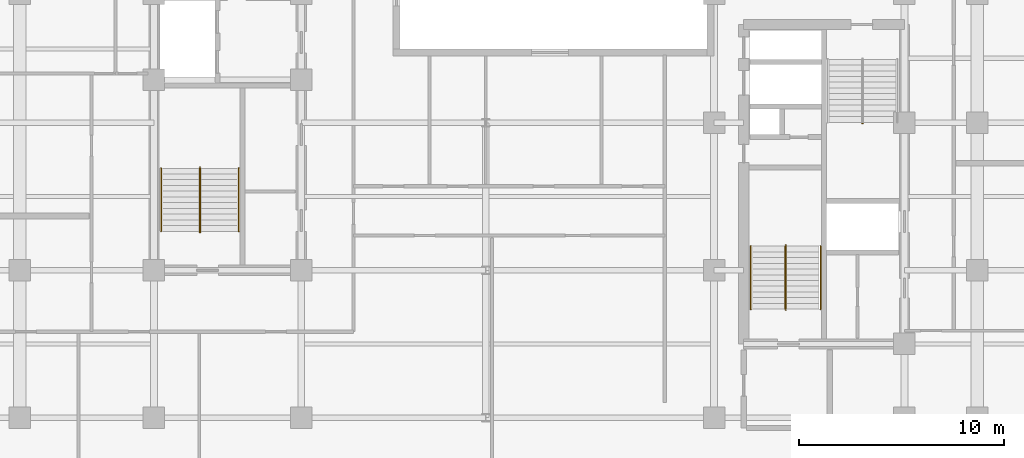
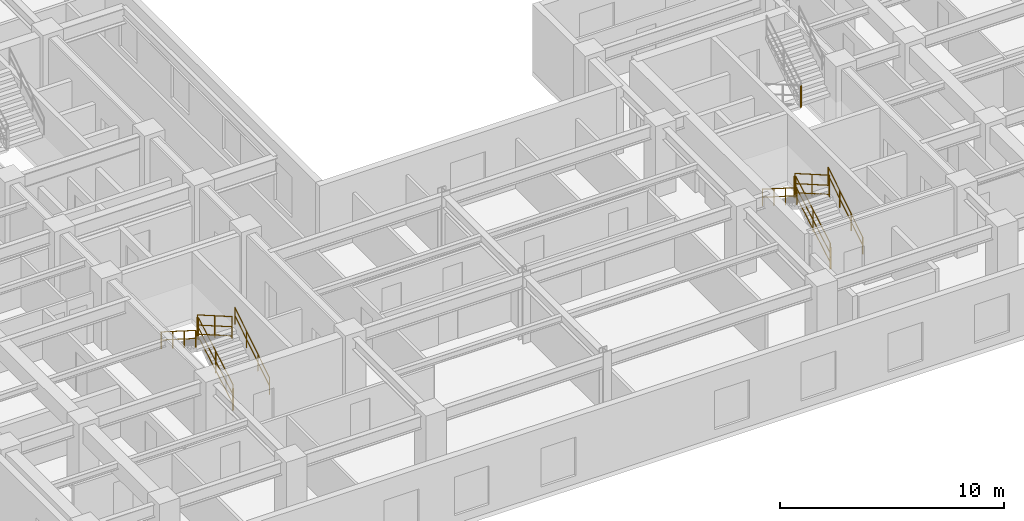
# One storey, part 8 of 10: 13 railings.
"""IFC4 building model written with IfcOpenShell, lengths in metres."""

from ifc_helpers import new_model, entity, si_unit, converted_unit, direction, frame, origin_with_axes, origin_2d_with_axis, place, context, subcontext, project, spatial, rectangle, circle, extrude, material, type_object, element, save


model = new_model("IFC4")

# Units and contexts
model_context = context("Model", 3, precision=1e-05, world=origin_with_axes(), true_north=direction((0.0, 1.0)))
body_context = subcontext(model_context, "Body", "Model", "MODEL_VIEW")
ifc_project = project(units=[si_unit("LENGTHUNIT", "METRE"), si_unit("AREAUNIT", "SQUARE_METRE"), si_unit("VOLUMEUNIT", "CUBIC_METRE"), converted_unit("PLANEANGLEUNIT", "DEGREE", entity("IfcPlaneAngleMeasure", 0.017453292519943295), si_unit("PLANEANGLEUNIT", "RADIAN"), dimensions=[0, 0, 0, 0, 0, 0, 0]), si_unit("MASSUNIT", "GRAM", prefix="KILO"), si_unit("THERMODYNAMICTEMPERATUREUNIT", "KELVIN")], contexts=[model_context])

# Site, building, storey
site_placement = place(None, origin_with_axes())
site = spatial("IfcSite", under=ifc_project, at=site_placement, CompositionType="ELEMENT")
building_placement = place(site_placement, origin_with_axes())
building = spatial("IfcBuilding", under=site, at=building_placement, Name="Varnlund Millrace Tower", CompositionType="ELEMENT")
storey_placement = place(building_placement, frame((0.0, 0.0, 160.2), z_axis=(0.0, 0.0, 1.0), x_axis=(1.0, 0.0, 0.0)))
storey = spatial("IfcBuildingStorey", under=building, at=storey_placement, Name="L39", CompositionType="ELEMENT", Elevation=160.2)

# Railings
ifc_material_1 = material(Name="Painted steel stair well balustrade guard", Category="steel")
railing_type_1 = type_object("IfcRailingType", Name="Type-StairGuard-1150", PredefinedType="GUARDRAIL", material=ifc_material_1)
railing_1_placement = place(storey_placement, frame((0.0, 0.0, -160.2), z_axis=(0.0, 0.0, 1.0), x_axis=(1.0, 0.0, 0.0)))
element("IfcRailing", 1, at=railing_1_placement, inside=storey, type_object=railing_type_1, Name="Type-StairGuard-1150", PredefinedType="GUARDRAIL", context=body_context, shape_type="SweptSolid", body=[
    extrude(circle(Radius=0.024, at=origin_2d_with_axis()), frame((13.675, 12.7, 161.527273), z_axis=(0.0, 0.866696, 0.498836), x_axis=(-1.0, 0.0, 0.0)), (0.0, 0.0, 1.0), 3.553725),
    extrude(circle(Radius=0.024, at=origin_2d_with_axis()), frame((13.675, 12.7, 160.477273), z_axis=(0.0, 0.866696, 0.498836), x_axis=(-1.0, 0.0, 0.0)), (0.0, 0.0, 1.0), 3.553725),
    extrude(circle(Radius=0.024, at=origin_2d_with_axis()), frame((13.675, 12.7, 160.975273), z_axis=(0.0, 0.866696, 0.498836), x_axis=(-1.0, 0.0, 0.0)), (0.0, 0.0, 1.0), 3.553725),
    extrude(rectangle(XDim=0.04, YDim=0.04, at=origin_2d_with_axis()), frame((13.675, 12.7, 160.337273), z_axis=(0.0, 0.0, 1.0), x_axis=(1.0, 0.0, 0.0)), (0.0, 0.0, 1.0), 1.19),
    extrude(rectangle(XDim=0.04, YDim=0.04, at=origin_2d_with_axis()), frame((13.675, 14.24, 161.223637), z_axis=(0.0, 0.0, 1.0), x_axis=(1.0, 0.0, 0.0)), (0.0, 0.0, 1.0), 1.19),
    extrude(rectangle(XDim=0.04, YDim=0.04, at=origin_2d_with_axis()), frame((13.675, 15.78, 162.11), z_axis=(0.0, 0.0, 1.0), x_axis=(1.0, 0.0, 0.0)), (0.0, 0.0, 1.0), 1.19),
])
railing_2_placement = place(storey_placement, frame((0.0, 0.0, -160.2), z_axis=(0.0, 0.0, 1.0), x_axis=(1.0, 0.0, 0.0)))
element("IfcRailing", 2, at=railing_2_placement, inside=storey, type_object=railing_type_1, Name="Type-StairGuard-1150", PredefinedType="GUARDRAIL", context=body_context, shape_type="SweptSolid", body=[
    extrude(circle(Radius=0.024, at=origin_2d_with_axis()), frame((13.625, 15.83, 163.3), z_axis=(1.0, 0.0, 0.0), x_axis=(0.0, 1.0, 0.0)), (0.0, 0.0, 1.0), 0.05),
    extrude(circle(Radius=0.024, at=origin_2d_with_axis()), frame((13.625, 15.83, 162.25), z_axis=(1.0, 0.0, 0.0), x_axis=(0.0, 1.0, 0.0)), (0.0, 0.0, 1.0), 0.05),
    extrude(circle(Radius=0.024, at=origin_2d_with_axis()), frame((13.625, 15.83, 162.748), z_axis=(1.0, 0.0, 0.0), x_axis=(0.0, 1.0, 0.0)), (0.0, 0.0, 1.0), 0.05),
    extrude(rectangle(XDim=0.04, YDim=0.04, at=origin_2d_with_axis()), frame((13.625, 15.83, 162.11), z_axis=(0.0, 0.0, 1.0), x_axis=(1.0, 0.0, 0.0)), (0.0, 0.0, 1.0), 1.19),
    extrude(rectangle(XDim=0.04, YDim=0.04, at=origin_2d_with_axis()), frame((13.675, 15.83, 162.11), z_axis=(0.0, 0.0, 1.0), x_axis=(1.0, 0.0, 0.0)), (0.0, 0.0, 1.0), 1.19),
])
railing_3_placement = place(storey_placement, frame((0.0, 0.0, -160.2), z_axis=(0.0, 0.0, 1.0), x_axis=(1.0, 0.0, 0.0)))
element("IfcRailing", 3, at=railing_3_placement, inside=storey, type_object=railing_type_1, Name="Type-StairGuard-1150", PredefinedType="GUARDRAIL", context=body_context, shape_type="SweptSolid", body=[
    extrude(circle(Radius=0.024, at=origin_2d_with_axis()), frame((13.625, 15.78, 163.477273), z_axis=(0.0, -0.866696, 0.498836), x_axis=(1.0, 0.0, 0.0)), (0.0, 0.0, 1.0), 3.553725),
    extrude(circle(Radius=0.024, at=origin_2d_with_axis()), frame((13.625, 15.78, 162.427273), z_axis=(0.0, -0.866696, 0.498836), x_axis=(1.0, 0.0, 0.0)), (0.0, 0.0, 1.0), 3.553725),
    extrude(circle(Radius=0.024, at=origin_2d_with_axis()), frame((13.625, 15.78, 162.925273), z_axis=(0.0, -0.866696, 0.498836), x_axis=(1.0, 0.0, 0.0)), (0.0, 0.0, 1.0), 3.553725),
    extrude(rectangle(XDim=0.04, YDim=0.04, at=origin_2d_with_axis()), frame((13.625, 15.78, 162.287273), z_axis=(0.0, 0.0, 1.0), x_axis=(1.0, 0.0, 0.0)), (0.0, 0.0, 1.0), 1.19),
    extrude(rectangle(XDim=0.04, YDim=0.04, at=origin_2d_with_axis()), frame((13.625, 14.24, 163.173637), z_axis=(0.0, 0.0, 1.0), x_axis=(1.0, 0.0, 0.0)), (0.0, 0.0, 1.0), 1.19),
    extrude(rectangle(XDim=0.04, YDim=0.04, at=origin_2d_with_axis()), frame((13.625, 12.7, 164.06), z_axis=(0.0, 0.0, 1.0), x_axis=(1.0, 0.0, 0.0)), (0.0, 0.0, 1.0), 1.19),
])
railing_4_placement = place(storey_placement, frame((0.0, 0.0, -160.2), z_axis=(0.0, 0.0, 1.0), x_axis=(1.0, 0.0, 0.0)))
element("IfcRailing", 4, at=railing_4_placement, inside=storey, type_object=railing_type_1, Name="Type-StairGuard-1150", PredefinedType="GUARDRAIL", context=body_context, shape_type="SweptSolid", body=[
    extrude(circle(Radius=0.024, at=origin_2d_with_axis()), frame((13.625, 12.65, 161.35), z_axis=(1.0, 0.0, 0.0), x_axis=(0.0, 1.0, 0.0)), (0.0, 0.0, 1.0), 0.05),
    extrude(circle(Radius=0.024, at=origin_2d_with_axis()), frame((13.625, 12.65, 160.3), z_axis=(1.0, 0.0, 0.0), x_axis=(0.0, 1.0, 0.0)), (0.0, 0.0, 1.0), 0.05),
    extrude(circle(Radius=0.024, at=origin_2d_with_axis()), frame((13.625, 12.65, 160.798), z_axis=(1.0, 0.0, 0.0), x_axis=(0.0, 1.0, 0.0)), (0.0, 0.0, 1.0), 0.05),
    extrude(rectangle(XDim=0.04, YDim=0.04, at=origin_2d_with_axis()), frame((13.625, 12.65, 160.16), z_axis=(0.0, 0.0, 1.0), x_axis=(1.0, 0.0, 0.0)), (0.0, 0.0, 1.0), 1.19),
    extrude(rectangle(XDim=0.04, YDim=0.04, at=origin_2d_with_axis()), frame((13.675, 12.65, 160.16), z_axis=(0.0, 0.0, 1.0), x_axis=(1.0, 0.0, 0.0)), (0.0, 0.0, 1.0), 1.19),
])
railing_5_placement = place(storey_placement, frame((0.0, 0.0, -160.2), z_axis=(0.0, 0.0, 1.0), x_axis=(1.0, 0.0, 0.0)))
element("IfcRailing", 5, at=railing_5_placement, inside=storey, type_object=railing_type_1, Name="Type-StairGuard-1150", PredefinedType="GUARDRAIL", context=body_context, shape_type="SweptSolid", body=[
    extrude(circle(Radius=0.024, at=origin_2d_with_axis()), frame((42.275, 8.9, 161.527273), z_axis=(0.0, 0.866696, 0.498836), x_axis=(-1.0, 0.0, 0.0)), (0.0, 0.0, 1.0), 3.553725),
    extrude(circle(Radius=0.024, at=origin_2d_with_axis()), frame((42.275, 8.9, 160.477273), z_axis=(0.0, 0.866696, 0.498836), x_axis=(-1.0, 0.0, 0.0)), (0.0, 0.0, 1.0), 3.553725),
    extrude(circle(Radius=0.024, at=origin_2d_with_axis()), frame((42.275, 8.9, 160.975273), z_axis=(0.0, 0.866696, 0.498836), x_axis=(-1.0, 0.0, 0.0)), (0.0, 0.0, 1.0), 3.553725),
    extrude(rectangle(XDim=0.04, YDim=0.04, at=origin_2d_with_axis()), frame((42.275, 8.9, 160.337273), z_axis=(0.0, 0.0, 1.0), x_axis=(1.0, 0.0, 0.0)), (0.0, 0.0, 1.0), 1.19),
    extrude(rectangle(XDim=0.04, YDim=0.04, at=origin_2d_with_axis()), frame((42.275, 10.44, 161.223637), z_axis=(0.0, 0.0, 1.0), x_axis=(1.0, 0.0, 0.0)), (0.0, 0.0, 1.0), 1.19),
    extrude(rectangle(XDim=0.04, YDim=0.04, at=origin_2d_with_axis()), frame((42.275, 11.98, 162.11), z_axis=(0.0, 0.0, 1.0), x_axis=(1.0, 0.0, 0.0)), (0.0, 0.0, 1.0), 1.19),
])
railing_6_placement = place(storey_placement, frame((0.0, 0.0, -160.2), z_axis=(0.0, 0.0, 1.0), x_axis=(1.0, 0.0, 0.0)))
element("IfcRailing", 6, at=railing_6_placement, inside=storey, type_object=railing_type_1, Name="Type-StairGuard-1150", PredefinedType="GUARDRAIL", context=body_context, shape_type="SweptSolid", body=[
    extrude(circle(Radius=0.024, at=origin_2d_with_axis()), frame((42.225, 12.03, 163.3), z_axis=(1.0, 0.0, 0.0), x_axis=(0.0, 1.0, 0.0)), (0.0, 0.0, 1.0), 0.05),
    extrude(circle(Radius=0.024, at=origin_2d_with_axis()), frame((42.225, 12.03, 162.25), z_axis=(1.0, 0.0, 0.0), x_axis=(0.0, 1.0, 0.0)), (0.0, 0.0, 1.0), 0.05),
    extrude(circle(Radius=0.024, at=origin_2d_with_axis()), frame((42.225, 12.03, 162.748), z_axis=(1.0, 0.0, 0.0), x_axis=(0.0, 1.0, 0.0)), (0.0, 0.0, 1.0), 0.05),
    extrude(rectangle(XDim=0.04, YDim=0.04, at=origin_2d_with_axis()), frame((42.225, 12.03, 162.11), z_axis=(0.0, 0.0, 1.0), x_axis=(1.0, 0.0, 0.0)), (0.0, 0.0, 1.0), 1.19),
    extrude(rectangle(XDim=0.04, YDim=0.04, at=origin_2d_with_axis()), frame((42.275, 12.03, 162.11), z_axis=(0.0, 0.0, 1.0), x_axis=(1.0, 0.0, 0.0)), (0.0, 0.0, 1.0), 1.19),
])
railing_7_placement = place(storey_placement, frame((0.0, 0.0, -160.2), z_axis=(0.0, 0.0, 1.0), x_axis=(1.0, 0.0, 0.0)))
element("IfcRailing", 7, at=railing_7_placement, inside=storey, type_object=railing_type_1, Name="Type-StairGuard-1150", PredefinedType="GUARDRAIL", context=body_context, shape_type="SweptSolid", body=[
    extrude(circle(Radius=0.024, at=origin_2d_with_axis()), frame((42.225, 11.98, 163.477273), z_axis=(0.0, -0.866696, 0.498836), x_axis=(1.0, 0.0, 0.0)), (0.0, 0.0, 1.0), 3.553725),
    extrude(circle(Radius=0.024, at=origin_2d_with_axis()), frame((42.225, 11.98, 162.427273), z_axis=(0.0, -0.866696, 0.498836), x_axis=(1.0, 0.0, 0.0)), (0.0, 0.0, 1.0), 3.553725),
    extrude(circle(Radius=0.024, at=origin_2d_with_axis()), frame((42.225, 11.98, 162.925273), z_axis=(0.0, -0.866696, 0.498836), x_axis=(1.0, 0.0, 0.0)), (0.0, 0.0, 1.0), 3.553725),
    extrude(rectangle(XDim=0.04, YDim=0.04, at=origin_2d_with_axis()), frame((42.225, 11.98, 162.287273), z_axis=(0.0, 0.0, 1.0), x_axis=(1.0, 0.0, 0.0)), (0.0, 0.0, 1.0), 1.19),
    extrude(rectangle(XDim=0.04, YDim=0.04, at=origin_2d_with_axis()), frame((42.225, 10.44, 163.173637), z_axis=(0.0, 0.0, 1.0), x_axis=(1.0, 0.0, 0.0)), (0.0, 0.0, 1.0), 1.19),
    extrude(rectangle(XDim=0.04, YDim=0.04, at=origin_2d_with_axis()), frame((42.225, 8.9, 164.06), z_axis=(0.0, 0.0, 1.0), x_axis=(1.0, 0.0, 0.0)), (0.0, 0.0, 1.0), 1.19),
])
railing_8_placement = place(storey_placement, frame((0.0, 0.0, -160.2), z_axis=(0.0, 0.0, 1.0), x_axis=(1.0, 0.0, 0.0)))
element("IfcRailing", 8, at=railing_8_placement, inside=storey, type_object=railing_type_1, Name="Type-StairGuard-1150", PredefinedType="GUARDRAIL", context=body_context, shape_type="SweptSolid", body=[
    extrude(circle(Radius=0.024, at=origin_2d_with_axis()), frame((42.225, 8.85, 161.35), z_axis=(1.0, 0.0, 0.0), x_axis=(0.0, 1.0, 0.0)), (0.0, 0.0, 1.0), 0.05),
    extrude(circle(Radius=0.024, at=origin_2d_with_axis()), frame((42.225, 8.85, 160.3), z_axis=(1.0, 0.0, 0.0), x_axis=(0.0, 1.0, 0.0)), (0.0, 0.0, 1.0), 0.05),
    extrude(circle(Radius=0.024, at=origin_2d_with_axis()), frame((42.225, 8.85, 160.798), z_axis=(1.0, 0.0, 0.0), x_axis=(0.0, 1.0, 0.0)), (0.0, 0.0, 1.0), 0.05),
    extrude(rectangle(XDim=0.04, YDim=0.04, at=origin_2d_with_axis()), frame((42.225, 8.85, 160.16), z_axis=(0.0, 0.0, 1.0), x_axis=(1.0, 0.0, 0.0)), (0.0, 0.0, 1.0), 1.19),
    extrude(rectangle(XDim=0.04, YDim=0.04, at=origin_2d_with_axis()), frame((42.275, 8.85, 160.16), z_axis=(0.0, 0.0, 1.0), x_axis=(1.0, 0.0, 0.0)), (0.0, 0.0, 1.0), 1.19),
])
railing_9_placement = place(storey_placement, frame((0.0, 0.0, -160.2), z_axis=(0.0, 0.0, 1.0), x_axis=(1.0, 0.0, 0.0)))
element("IfcRailing", 9, at=railing_9_placement, inside=storey, type_object=railing_type_1, Name="Type-StairGuard-1150", PredefinedType="GUARDRAIL", context=body_context, shape_type="SweptSolid", body=[
    extrude(circle(Radius=0.024, at=origin_2d_with_axis()), frame((46.025, 17.97, 163.3), z_axis=(-1.0, 0.0, 0.0), x_axis=(0.0, -1.0, 0.0)), (0.0, 0.0, 1.0), 0.05),
    extrude(circle(Radius=0.024, at=origin_2d_with_axis()), frame((46.025, 17.97, 162.25), z_axis=(-1.0, 0.0, 0.0), x_axis=(0.0, -1.0, 0.0)), (0.0, 0.0, 1.0), 0.05),
    extrude(circle(Radius=0.024, at=origin_2d_with_axis()), frame((46.025, 17.97, 162.748), z_axis=(-1.0, 0.0, 0.0), x_axis=(0.0, -1.0, 0.0)), (0.0, 0.0, 1.0), 0.05),
    extrude(rectangle(XDim=0.04, YDim=0.04, at=origin_2d_with_axis()), frame((46.025, 17.97, 162.11), z_axis=(0.0, 0.0, 1.0), x_axis=(1.0, 0.0, 0.0)), (0.0, 0.0, 1.0), 1.19),
    extrude(rectangle(XDim=0.04, YDim=0.04, at=origin_2d_with_axis()), frame((45.975, 17.97, 162.11), z_axis=(0.0, 0.0, 1.0), x_axis=(1.0, 0.0, 0.0)), (0.0, 0.0, 1.0), 1.19),
])
ifc_material_2 = material(Name="Brushed architectural bronze stair handrail", Category="aluminium")
railing_type_2 = type_object("IfcRailingType", Name="Type-StairHandrail-900", PredefinedType="HANDRAIL", material=ifc_material_2)
railing_10_placement = place(storey_placement, frame((0.0, 0.0, -160.2), z_axis=(0.0, 0.0, 1.0), x_axis=(1.0, 0.0, 0.0)))
element("IfcRailing", 10, at=railing_10_placement, inside=storey, type_object=railing_type_2, Name="Type-StairHandrail-900", PredefinedType="HANDRAIL", context=body_context, shape_type="SweptSolid", body=[
    extrude(circle(Radius=0.024, at=origin_2d_with_axis()), frame((15.55, 12.7, 161.256995), z_axis=(0.0, 0.844902, 0.534922), x_axis=(-1.0, 0.0, 0.0)), (0.0, 0.0, 1.0), 3.645394),
    extrude(circle(Radius=0.024, at=origin_2d_with_axis()), frame((15.55, 12.7, 160.817134), z_axis=(0.0, 0.844902, 0.534922), x_axis=(-1.0, 0.0, 0.0)), (0.0, 0.0, 1.0), 3.645394),
    extrude(rectangle(XDim=0.04, YDim=0.04, at=origin_2d_with_axis()), frame((15.55, 12.7, 160.337273), z_axis=(0.0, 0.0, 1.0), x_axis=(1.0, 0.0, 0.0)), (0.0, 0.0, 1.0), 0.919722),
    extrude(rectangle(XDim=0.04, YDim=0.04, at=origin_2d_with_axis()), frame((15.55, 13.726667, 160.987273), z_axis=(0.0, 0.0, 1.0), x_axis=(1.0, 0.0, 0.0)), (0.0, 0.0, 1.0), 0.919722),
    extrude(rectangle(XDim=0.04, YDim=0.04, at=origin_2d_with_axis()), frame((15.55, 14.753333, 161.637273), z_axis=(0.0, 0.0, 1.0), x_axis=(1.0, 0.0, 0.0)), (0.0, 0.0, 1.0), 0.919722),
    extrude(rectangle(XDim=0.04, YDim=0.04, at=origin_2d_with_axis()), frame((15.55, 15.78, 162.287273), z_axis=(0.0, 0.0, 1.0), x_axis=(1.0, 0.0, 0.0)), (0.0, 0.0, 1.0), 0.919722),
])
railing_11_placement = place(storey_placement, frame((0.0, 0.0, -160.2), z_axis=(0.0, 0.0, 1.0), x_axis=(1.0, 0.0, 0.0)))
element("IfcRailing", 11, at=railing_11_placement, inside=storey, type_object=railing_type_2, Name="Type-StairHandrail-900", PredefinedType="HANDRAIL", context=body_context, shape_type="SweptSolid", body=[
    extrude(circle(Radius=0.024, at=origin_2d_with_axis()), frame((11.75, 15.78, 163.206995), z_axis=(0.0, -0.844902, 0.534922), x_axis=(1.0, 0.0, 0.0)), (0.0, 0.0, 1.0), 3.645394),
    extrude(circle(Radius=0.024, at=origin_2d_with_axis()), frame((11.75, 15.78, 162.767134), z_axis=(0.0, -0.844902, 0.534922), x_axis=(1.0, 0.0, 0.0)), (0.0, 0.0, 1.0), 3.645394),
    extrude(rectangle(XDim=0.04, YDim=0.04, at=origin_2d_with_axis()), frame((11.75, 15.78, 162.287273), z_axis=(0.0, 0.0, 1.0), x_axis=(1.0, 0.0, 0.0)), (0.0, 0.0, 1.0), 0.919722),
    extrude(rectangle(XDim=0.04, YDim=0.04, at=origin_2d_with_axis()), frame((11.75, 14.753333, 162.937273), z_axis=(0.0, 0.0, 1.0), x_axis=(1.0, 0.0, 0.0)), (0.0, 0.0, 1.0), 0.919722),
    extrude(rectangle(XDim=0.04, YDim=0.04, at=origin_2d_with_axis()), frame((11.75, 13.726667, 163.587273), z_axis=(0.0, 0.0, 1.0), x_axis=(1.0, 0.0, 0.0)), (0.0, 0.0, 1.0), 0.919722),
    extrude(rectangle(XDim=0.04, YDim=0.04, at=origin_2d_with_axis()), frame((11.75, 12.7, 164.237273), z_axis=(0.0, 0.0, 1.0), x_axis=(1.0, 0.0, 0.0)), (0.0, 0.0, 1.0), 0.919722),
])
railing_12_placement = place(storey_placement, frame((0.0, 0.0, -160.2), z_axis=(0.0, 0.0, 1.0), x_axis=(1.0, 0.0, 0.0)))
element("IfcRailing", 12, at=railing_12_placement, inside=storey, type_object=railing_type_2, Name="Type-StairHandrail-900", PredefinedType="HANDRAIL", context=body_context, shape_type="SweptSolid", body=[
    extrude(circle(Radius=0.024, at=origin_2d_with_axis()), frame((43.95, 8.9, 161.256995), z_axis=(0.0, 0.844902, 0.534922), x_axis=(-1.0, 0.0, 0.0)), (0.0, 0.0, 1.0), 3.645394),
    extrude(circle(Radius=0.024, at=origin_2d_with_axis()), frame((43.95, 8.9, 160.817134), z_axis=(0.0, 0.844902, 0.534922), x_axis=(-1.0, 0.0, 0.0)), (0.0, 0.0, 1.0), 3.645394),
    extrude(rectangle(XDim=0.04, YDim=0.04, at=origin_2d_with_axis()), frame((43.95, 8.9, 160.337273), z_axis=(0.0, 0.0, 1.0), x_axis=(1.0, 0.0, 0.0)), (0.0, 0.0, 1.0), 0.919722),
    extrude(rectangle(XDim=0.04, YDim=0.04, at=origin_2d_with_axis()), frame((43.95, 9.926667, 160.987273), z_axis=(0.0, 0.0, 1.0), x_axis=(1.0, 0.0, 0.0)), (0.0, 0.0, 1.0), 0.919722),
    extrude(rectangle(XDim=0.04, YDim=0.04, at=origin_2d_with_axis()), frame((43.95, 10.953333, 161.637273), z_axis=(0.0, 0.0, 1.0), x_axis=(1.0, 0.0, 0.0)), (0.0, 0.0, 1.0), 0.919722),
    extrude(rectangle(XDim=0.04, YDim=0.04, at=origin_2d_with_axis()), frame((43.95, 11.98, 162.287273), z_axis=(0.0, 0.0, 1.0), x_axis=(1.0, 0.0, 0.0)), (0.0, 0.0, 1.0), 0.919722),
])
railing_13_placement = place(storey_placement, frame((0.0, 0.0, -160.2), z_axis=(0.0, 0.0, 1.0), x_axis=(1.0, 0.0, 0.0)))
element("IfcRailing", 13, at=railing_13_placement, inside=storey, type_object=railing_type_2, Name="Type-StairHandrail-900", PredefinedType="HANDRAIL", context=body_context, shape_type="SweptSolid", body=[
    extrude(circle(Radius=0.024, at=origin_2d_with_axis()), frame((40.55, 11.98, 163.206995), z_axis=(0.0, -0.844902, 0.534922), x_axis=(1.0, 0.0, 0.0)), (0.0, 0.0, 1.0), 3.645394),
    extrude(circle(Radius=0.024, at=origin_2d_with_axis()), frame((40.55, 11.98, 162.767134), z_axis=(0.0, -0.844902, 0.534922), x_axis=(1.0, 0.0, 0.0)), (0.0, 0.0, 1.0), 3.645394),
    extrude(rectangle(XDim=0.04, YDim=0.04, at=origin_2d_with_axis()), frame((40.55, 11.98, 162.287273), z_axis=(0.0, 0.0, 1.0), x_axis=(1.0, 0.0, 0.0)), (0.0, 0.0, 1.0), 0.919722),
    extrude(rectangle(XDim=0.04, YDim=0.04, at=origin_2d_with_axis()), frame((40.55, 10.953333, 162.937273), z_axis=(0.0, 0.0, 1.0), x_axis=(1.0, 0.0, 0.0)), (0.0, 0.0, 1.0), 0.919722),
    extrude(rectangle(XDim=0.04, YDim=0.04, at=origin_2d_with_axis()), frame((40.55, 9.926667, 163.587273), z_axis=(0.0, 0.0, 1.0), x_axis=(1.0, 0.0, 0.0)), (0.0, 0.0, 1.0), 0.919722),
    extrude(rectangle(XDim=0.04, YDim=0.04, at=origin_2d_with_axis()), frame((40.55, 8.9, 164.237273), z_axis=(0.0, 0.0, 1.0), x_axis=(1.0, 0.0, 0.0)), (0.0, 0.0, 1.0), 0.919722),
])

save(model, "model.ifc")
